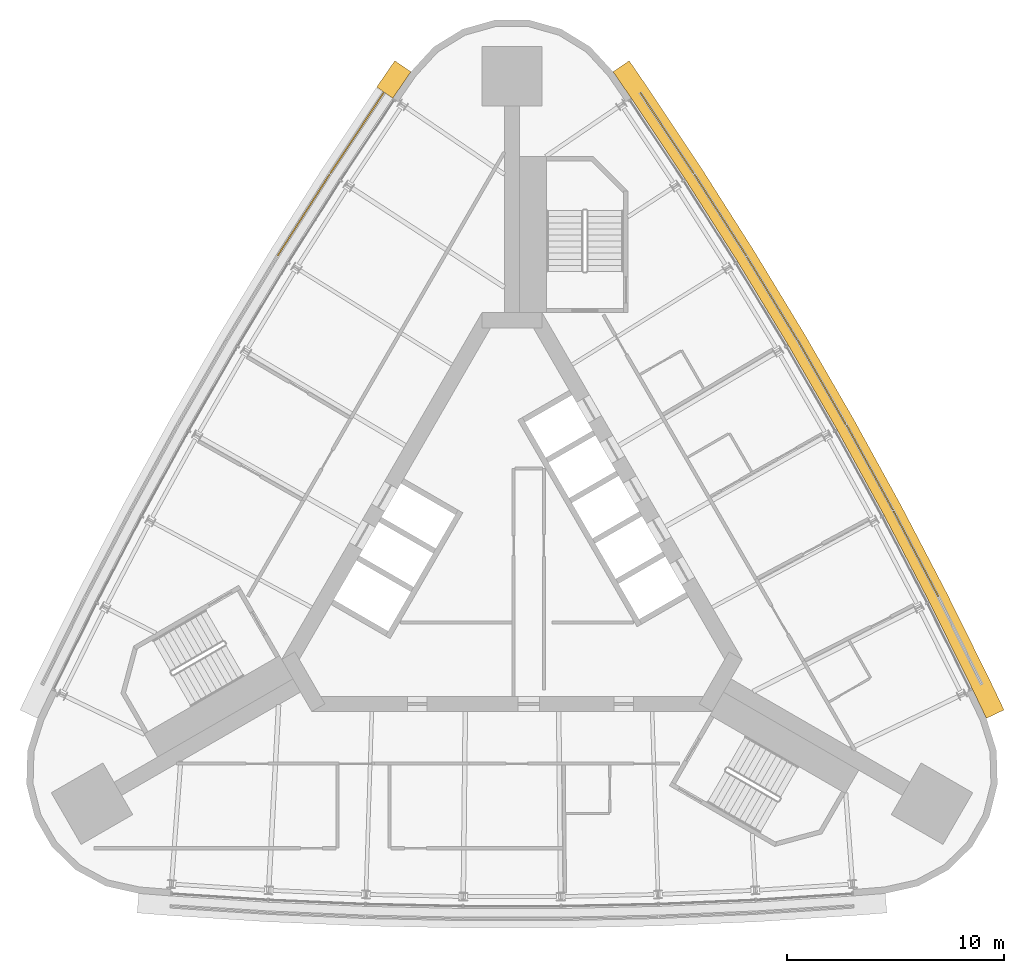
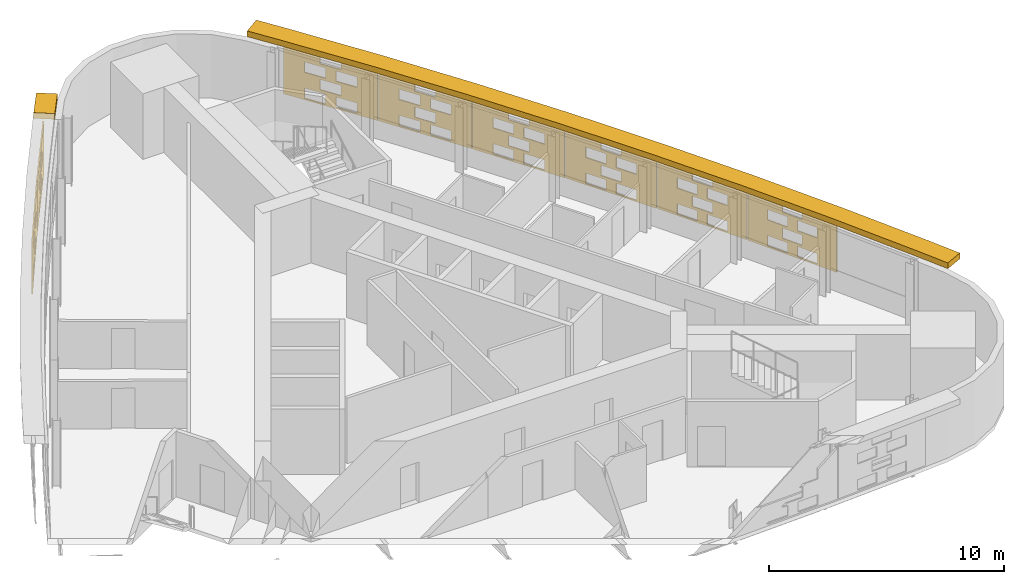
# One storey, part 12 of 12: 10 shading devices.
"""IFC4 building model written with IfcOpenShell, lengths in metres."""

from ifc_helpers import new_model, si_unit, direction, frame, origin, place, context, subcontext, project, spatial, polyline, outline, extrude, material, material_profile, profile_set, type_object, element, save


model = new_model("IFC4")

# Units and contexts
model_context = context("Model", 3, precision=1e-05, world=origin(), true_north=direction((0.0, 1.0)))
body_context = subcontext(model_context, "Body", "Model", "MODEL_VIEW")
ifc_project = project(units=[si_unit("LENGTHUNIT", "METRE"), si_unit("AREAUNIT", "SQUARE_METRE"), si_unit("VOLUMEUNIT", "CUBIC_METRE"), si_unit("PLANEANGLEUNIT", "RADIAN"), si_unit("MASSUNIT", "GRAM", prefix="KILO")], contexts=[model_context])

# Site, building, storey
site_placement = place(None, origin())
site = spatial("IfcSite", under=ifc_project, at=site_placement, CompositionType="ELEMENT")
building_placement = place(site_placement, origin())
building = spatial("IfcBuilding", under=site, at=building_placement, Name="Noor Cloister Tower", CompositionType="ELEMENT")
storey_placement = place(building_placement, frame((0.0, 0.0, 188.699951171875)))
storey = spatial("IfcBuildingStorey", under=building, at=storey_placement, Name="L48", CompositionType="ELEMENT", Elevation=188.699951171875)

# Shading devices
ifc_material_1 = material(Name="Limestone", Category="masonry")
ifc_material_profile = material_profile(ifc_material_1, outline(polyline([(-2.22998046875, -1.35009765625), (2.22998046875, -1.35009765625), (2.22998046875, 1.35009765625), (-2.22998046875, 1.35009765625), (-2.22998046875, -1.35009765625)]), holes=[polyline([(-1.25, -1.282470703125), (-0.25, -1.282470703125), (-0.25, -0.742431640625), (-1.25, -0.742431640625), (-1.25, -1.282470703125)]), polyline([(0.25, -1.282470703125), (1.25, -1.282470703125), (1.25, -0.742431640625), (0.25, -0.742431640625), (0.25, -1.282470703125)]), polyline([(-0.5, -0.607421875), (0.5, -0.607421875), (0.5, -0.0673828125), (-0.5, -0.0673828125), (-0.5, -0.607421875)]), polyline([(-1.25, 0.0673828125), (-0.25, 0.0673828125), (-0.25, 0.607421875), (-1.25, 0.607421875), (-1.25, 0.0673828125)]), polyline([(0.25, 0.0673828125), (1.25, 0.0673828125), (1.25, 0.607421875), (0.25, 0.607421875), (0.25, 0.0673828125)]), polyline([(-0.5, 0.742431640625), (0.5, 0.742431640625), (0.5, 1.282470703125), (-0.5, 1.282470703125), (-0.5, 0.742431640625)])]), Name="Woven screen 32 percent open")
ifc_profile_set = profile_set([ifc_material_profile], Name="Limestone")
shading_device_type_1 = type_object("IfcShadingDeviceType", Name="SCREEN woven limestone 32 percent open", PredefinedType="USERDEFINED", material=ifc_profile_set)
for number, where, z_axis, x_axis, name in (
    (1, (-7.116455078125, 19.718994140625, 1.85009765625), (-0.833298909309, 0.552822691054, 0.0), (-0.552822691054, -0.833298909309, 0.0), "SCREEN L48 1"),
    (2, (-9.576904296875, 15.93994140625, 1.85009765625), (-0.8431579539, 0.537665941617, 0.0), (-0.537665941617, -0.8431579539, 0.0), "SCREEN L48 2"),
    (3, (18.5927734375, 0.32373046875, 1.85009765625), (0.886149575817, 0.463399319464, 0.0), (-0.463399319464, 0.886149575817, 0.0), "SCREEN L48 2"),
    (4, (16.464599609375, 4.29931640625, 1.85009765625), (0.877584848731, 0.479421352547, 0.0), (-0.479421352547, 0.877584848731, 0.0), "SCREEN L48 3"),
):
    element("IfcShadingDevice", number, at=place(storey_placement, frame(where, z_axis=z_axis, x_axis=x_axis)), inside=storey, type_object=shading_device_type_1, Name=name, ObjectType="SCREEN", PredefinedType="USERDEFINED", context=body_context, shape_type="SweptSolid", body=[
        extrude(outline(polyline([(-2.22998046875, -1.35009765625), (2.22998046875, -1.35009765625), (2.22998046875, 1.35009765625), (-2.22998046875, 1.35009765625), (-2.22998046875, -1.35009765625)]), holes=[polyline([(-1.25, -1.282470703125), (-0.25, -1.282470703125), (-0.25, -0.742431640625), (-1.25, -0.742431640625), (-1.25, -1.282470703125)]), polyline([(0.25, -1.282470703125), (1.25, -1.282470703125), (1.25, -0.742431640625), (0.25, -0.742431640625), (0.25, -1.282470703125)]), polyline([(-0.5, -0.607421875), (0.5, -0.607421875), (0.5, -0.0673828125), (-0.5, -0.0673828125), (-0.5, -0.607421875)]), polyline([(-1.25, 0.0673828125), (-0.25, 0.0673828125), (-0.25, 0.607421875), (-1.25, 0.607421875), (-1.25, 0.0673828125)]), polyline([(0.25, 0.0673828125), (1.25, 0.0673828125), (1.25, 0.607421875), (0.25, 0.607421875), (0.25, 0.0673828125)]), polyline([(-0.5, 0.742431640625), (0.5, 0.742431640625), (0.5, 1.282470703125), (-0.5, 1.282470703125), (-0.5, 0.742431640625)])]), origin(), (0.0, 0.0, 1.0), 0.06005859375),
    ])
shading_device_1_placement = place(storey_placement, frame((14.251953125, 8.228515625, 1.85009765625), z_axis=(0.86774129532, 0.497016140981, 0.0), x_axis=(-0.497016140981, 0.86774129532, 0.0)))
element("IfcShadingDevice", 5, at=shading_device_1_placement, inside=storey, type_object=shading_device_type_1, Name="SCREEN L48 4", ObjectType="SCREEN", PredefinedType="USERDEFINED", context=body_context, shape_type="SweptSolid", body=[
    extrude(outline(polyline([(-2.22998046875, -1.35009765625), (2.22998046875, -1.35009765625), (2.22998046875, 1.35009765625), (-2.22998046875, 1.35009765625), (-2.22998046875, -1.35009765625)]), holes=[polyline([(-1.25, -1.282470703125), (-0.25, -1.282470703125), (-0.25, -0.742431640625), (-1.25, -0.742431640625), (-1.25, -1.282470703125)]), polyline([(0.25, -1.282470703125), (1.25, -1.282470703125), (1.25, -0.742431640625), (0.25, -0.742431640625), (0.25, -1.282470703125)]), polyline([(-0.5, -0.607421875), (0.5, -0.607421875), (0.5, -0.0673828125), (-0.5, -0.0673828125), (-0.5, -0.607421875)]), polyline([(-1.25, 0.0673828125), (-0.25, 0.0673828125), (-0.25, 0.607421875), (-1.25, 0.607421875), (-1.25, 0.0673828125)]), polyline([(0.25, 0.0673828125), (1.25, 0.0673828125), (1.25, 0.607421875), (0.25, 0.607421875), (0.25, 0.0673828125)]), polyline([(-0.5, 0.742431640625), (0.5, 0.742431640625), (0.5, 1.282470703125), (-0.5, 1.282470703125), (-0.5, 0.742431640625)])]), origin(), (0.0, 0.0, 1.0), 0.059814453125),
])
shading_device_2_placement = place(storey_placement, frame((11.95556640625, 12.109130859375, 1.85009765625), z_axis=(0.854980050906, 0.518660883962, 0.0), x_axis=(-0.518660883962, 0.854980050906, 0.0)))
element("IfcShadingDevice", 6, at=shading_device_2_placement, inside=storey, type_object=shading_device_type_1, Name="SCREEN L48 5", ObjectType="SCREEN", PredefinedType="USERDEFINED", context=body_context, shape_type="SweptSolid", body=[
    extrude(outline(polyline([(-2.22998046875, -1.35009765625), (2.22998046875, -1.35009765625), (2.22998046875, 1.35009765625), (-2.22998046875, 1.35009765625), (-2.22998046875, -1.35009765625)]), holes=[polyline([(-1.25, -1.282470703125), (-0.25, -1.282470703125), (-0.25, -0.742431640625), (-1.25, -0.742431640625), (-1.25, -1.282470703125)]), polyline([(0.25, -1.282470703125), (1.25, -1.282470703125), (1.25, -0.742431640625), (0.25, -0.742431640625), (0.25, -1.282470703125)]), polyline([(-0.5, -0.607421875), (0.5, -0.607421875), (0.5, -0.0673828125), (-0.5, -0.0673828125), (-0.5, -0.607421875)]), polyline([(-1.25, 0.0673828125), (-0.25, 0.0673828125), (-0.25, 0.607421875), (-1.25, 0.607421875), (-1.25, 0.0673828125)]), polyline([(0.25, 0.0673828125), (1.25, 0.0673828125), (1.25, 0.607421875), (0.25, 0.607421875), (0.25, 0.0673828125)]), polyline([(-0.5, 0.742431640625), (0.5, 0.742431640625), (0.5, 1.282470703125), (-0.5, 1.282470703125), (-0.5, 0.742431640625)])]), origin(), (0.0, 0.0, 1.0), 0.060302734375),
])
for number, where, z_axis, x_axis, name in (
    (7, (9.576904296875, 15.93994140625, 1.85009765625), (0.8431579539, 0.537665941617, 0.0), (-0.537665941617, 0.8431579539, 0.0), "SCREEN L48 6"),
    (8, (7.116455078125, 19.718994140625, 1.85009765625), (0.833298909309, 0.552822691054, 0.0), (-0.552822691054, 0.833298909309, 0.0), "SCREEN L48 7"),
):
    element("IfcShadingDevice", number, at=place(storey_placement, frame(where, z_axis=z_axis, x_axis=x_axis)), inside=storey, type_object=shading_device_type_1, Name=name, ObjectType="SCREEN", PredefinedType="USERDEFINED", context=body_context, shape_type="SweptSolid", body=[
        extrude(outline(polyline([(-2.22998046875, -1.35009765625), (2.22998046875, -1.35009765625), (2.22998046875, 1.35009765625), (-2.22998046875, 1.35009765625), (-2.22998046875, -1.35009765625)]), holes=[polyline([(-1.25, -1.282470703125), (-0.25, -1.282470703125), (-0.25, -0.742431640625), (-1.25, -0.742431640625), (-1.25, -1.282470703125)]), polyline([(0.25, -1.282470703125), (1.25, -1.282470703125), (1.25, -0.742431640625), (0.25, -0.742431640625), (0.25, -1.282470703125)]), polyline([(-0.5, -0.607421875), (0.5, -0.607421875), (0.5, -0.0673828125), (-0.5, -0.0673828125), (-0.5, -0.607421875)]), polyline([(-1.25, 0.0673828125), (-0.25, 0.0673828125), (-0.25, 0.607421875), (-1.25, 0.607421875), (-1.25, 0.0673828125)]), polyline([(0.25, 0.0673828125), (1.25, 0.0673828125), (1.25, 0.607421875), (0.25, 0.607421875), (0.25, 0.0673828125)]), polyline([(-0.5, 0.742431640625), (0.5, 0.742431640625), (0.5, 1.282470703125), (-0.5, 1.282470703125), (-0.5, 0.742431640625)])]), origin(), (0.0, 0.0, 1.0), 0.06005859375),
    ])
ifc_material_2 = material(Name="Limestone", Category="masonry")
shading_device_type_2 = type_object("IfcShadingDeviceType", Name="SUNSHADE limestone band 900", PredefinedType="USERDEFINED", material=ifc_material_2)
shading_device_3_placement = place(storey_placement, frame((0.0, 0.0, 3.300048828125)))
element("IfcShadingDevice", 9, at=shading_device_3_placement, inside=storey, type_object=shading_device_type_2, Name="SUNSHADE L48 3", ObjectType="SUNSHADE", PredefinedType="USERDEFINED", context=body_context, shape_type="SweptSolid", body=[
    extrude(outline(polyline([(22.6767578125, -6.855712890625), (22.0390625, -5.519287109375), (20.036865234375, -1.471435546875), (17.94677734375, 2.535400390625), (15.771484375, 6.49658203125), (13.511962890625, 10.41015625), (11.1689453125, 14.274658203125), (8.744140625, 18.088134765625), (6.23974609375, 21.84619140625), (5.401123046875, 23.06640625), (4.659423828125, 22.556884765625), (5.494384765625, 21.341552734375), (7.98974609375, 17.59716796875), (10.404541015625, 13.7998046875), (12.7373046875, 9.951904296875), (14.9873046875, 6.054931640625), (17.1533203125, 2.110595703125), (19.234375, -1.879150390625), (21.2294921875, -5.91259765625), (21.864501953125, -7.2431640625), (22.6767578125, -6.855712890625)])), origin(), (0.0, 0.0, 1.0), 0.300048828125),
])
shading_device_4_placement = place(storey_placement, frame((0.0, 0.0, 3.300048828125)))
element("IfcShadingDevice", 10, at=shading_device_4_placement, inside=storey, type_object=shading_device_type_2, Name="SUNSHADE L48 4", ObjectType="SUNSHADE", PredefinedType="USERDEFINED", context=body_context, shape_type="SweptSolid", body=[
    extrude(outline(polyline([(-5.401123046875, 23.06640625), (-6.236083984375, 21.851318359375), (-5.494384765625, 21.341552734375), (-4.659423828125, 22.556884765625), (-5.401123046875, 23.06640625)])), origin(), (0.0, 0.0, 1.0), 0.300048828125),
])

save(model, "model.ifc")
